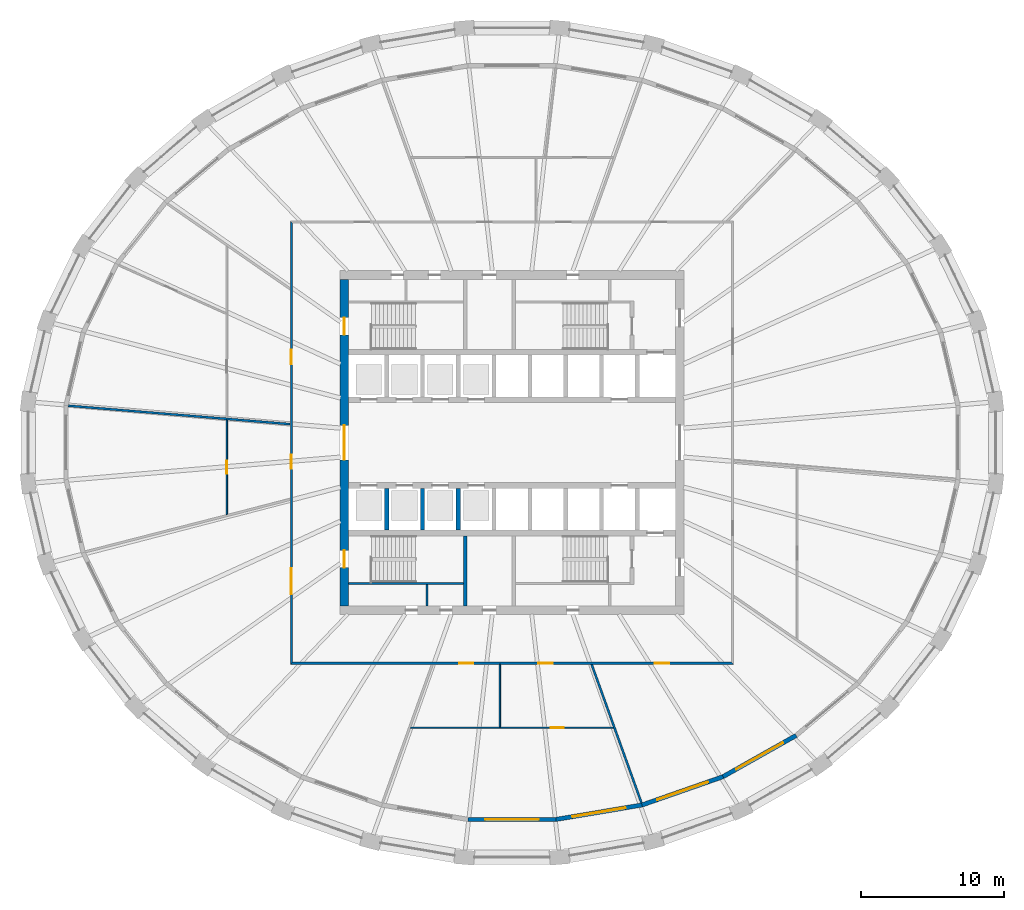
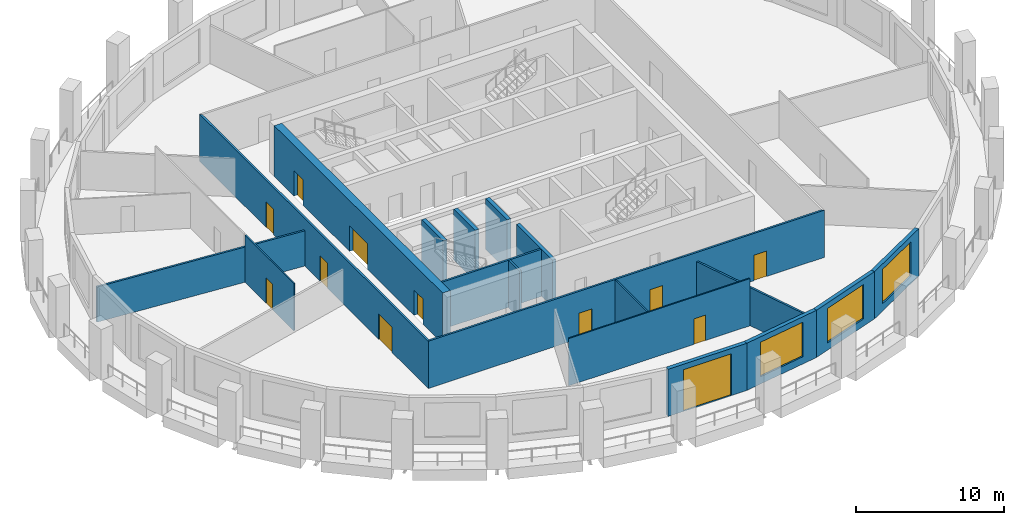
# One storey, part 3 of 10: 18 walls, 12 doors, 3 windows, 15 openings.
"""IFC4 building model written with IfcOpenShell, lengths in metres."""

from ifc_helpers import new_model, si_unit, direction, frame, frame_2d, origin, place, context, subcontext, project, spatial, polyline, rectangle, outline, extrude, material, layer, layer_set, type_object, element, fill, save


model = new_model("IFC4")

# Units and contexts
model_context = context("Model", 3, precision=1e-05, world=origin(), true_north=direction((0.0, 1.0)))
body_context = subcontext(model_context, "Body", "Model", "MODEL_VIEW")
ifc_project = project(units=[si_unit("LENGTHUNIT", "METRE"), si_unit("AREAUNIT", "SQUARE_METRE"), si_unit("VOLUMEUNIT", "CUBIC_METRE"), si_unit("PLANEANGLEUNIT", "RADIAN"), si_unit("MASSUNIT", "GRAM", prefix="KILO")], contexts=[model_context])

# Site, building, storey
site_placement = place(None, origin())
site = spatial("IfcSite", under=ifc_project, at=site_placement, CompositionType="ELEMENT")
building_placement = place(site_placement, origin())
building = spatial("IfcBuilding", under=site, at=building_placement, Name="Halqa Exchange Tower", CompositionType="ELEMENT")
storey_placement = place(building_placement, frame((0.0, 0.0, 159.10009765625)))
storey = spatial("IfcBuildingStorey", under=building, at=storey_placement, Name="L36", CompositionType="ELEMENT", Elevation=159.10009765625)

# Wall
ifc_material_1 = material(Name="Fire-rated gypsum board")
ifc_layer_1 = layer(ifc_material_1, 0.14990234375)
ifc_layer_set_1 = layer_set([ifc_layer_1], Name="Fire-rated gypsum board")
wall_type_1 = type_object("IfcWallType", Name="Fire partition EI 60 150", PredefinedType="PARTITIONING", material=ifc_layer_set_1)
wall_1_placement = place(storey_placement, frame((-30.964599609375, 2.574462890625, 0.0), z_axis=(0.0, 0.0, 1.0), x_axis=(0.996560145348, -0.082872653534, 0.0)))
element("IfcWall", 1, at=wall_1_placement, inside=storey, type_object=wall_type_1, Name="L36-PWL-001", PredefinedType="PARTITIONING", context=body_context, shape_type="SweptSolid", body=[
    extrude(outline(polyline([(0.0, -0.074951171875), (1.85986328125, -0.074951171875), (3.7197265625, -0.074951171875), (5.579345703125, -0.074951171875), (7.439208984375, -0.074951171875), (9.299072265625, -0.074951171875), (11.158935546875, -0.074951171875), (11.1591796875, -0.074951171875), (11.1591796875, -0.074951171875), (12.622314453125, -0.074951171875), (14.085693359375, -0.074951171875), (15.548828125, -0.074951171875), (15.548828125, -0.0693359375), (15.536865234375, 0.074951171875), (14.044921875, 0.074951171875), (12.552978515625, 0.074951171875), (11.06103515625, 0.074951171875), (11.04638671875, 0.07373046875), (11.04638671875, 0.074951171875), (9.2060546875, 0.074951171875), (7.36572265625, 0.074951171875), (5.525390625, 0.074951171875), (3.68505859375, 0.074951171875), (1.8447265625, 0.074951171875), (0.00439453125, 0.074951171875), (0.0, 0.044921875), (0.0, -0.074951171875)])), origin(), (0.0, 0.0, 1.0), 2.909912109375),
])

# Wall, openings, doors
wall_2_placement = place(storey_placement, frame((-15.39990234375, -15.47509765625, 0.0), z_axis=(0.0, 0.0, 1.0), x_axis=(0.0, 1.0, 0.0)))
wall_2 = element("IfcWall", 2, at=wall_2_placement, inside=storey, type_object=wall_type_1, Name="L36-PWL-007", PredefinedType="PARTITIONING", context=body_context, shape_type="SweptSolid", body=[
    extrude(outline(polyline([(0.150146484375, -0.074951171875), (2.065673828125, -0.074951171875), (3.9814453125, -0.074951171875), (5.89697265625, -0.074951171875), (7.8125, -0.074951171875), (9.728271484375, -0.074951171875), (11.643798828125, -0.074951171875), (13.5595703125, -0.074951171875), (15.47509765625, -0.074951171875), (17.390625, -0.074951171875), (19.306396484375, -0.074951171875), (21.221923828125, -0.074951171875), (23.1376953125, -0.074951171875), (25.05322265625, -0.074951171875), (26.96875, -0.074951171875), (28.884521484375, -0.074951171875), (30.800048828125, -0.074951171875), (30.949951171875, 0.074951171875), (29.015625, 0.074951171875), (27.081298828125, 0.074951171875), (25.14697265625, 0.074951171875), (23.21240234375, 0.074951171875), (21.278076171875, 0.074951171875), (19.34375, 0.074951171875), (17.409423828125, 0.074951171875), (15.47509765625, 0.074951171875), (13.540771484375, 0.074951171875), (11.6064453125, 0.074951171875), (9.672119140625, 0.074951171875), (7.73779296875, 0.074951171875), (5.80322265625, 0.074951171875), (3.868896484375, 0.074951171875), (1.9345703125, 0.074951171875), (0.000244140625, 0.074951171875), (0.150146484375, -0.074951171875)])), origin(), (0.0, 0.0, 1.0), 3.89990234375),
])
opening_1_placement = place(wall_2_placement, frame((20.949951171875, 0.0, 0.0)))
opening_1 = element("IfcOpeningElement", 3, at=opening_1_placement, cuts=wall_2, Name="Opening 11-04", PredefinedType="OPENING", context=body_context, shape_type="SweptSolid", body=[
    extrude(rectangle(XDim=1.0, YDim=2.10009765625, at=frame_2d((0.5, 1.050048828125))), frame((0.0, 0.0869140625, 0.0), z_axis=(0.0, -1.0, 0.0), x_axis=(1.0, 0.0, 0.0)), (0.0, 0.0, 1.0), 0.173828125),
])
opening_2_placement = place(wall_2_placement, frame((13.64501953125, 0.0, 0.0)))
opening_2 = element("IfcOpeningElement", 4, at=opening_2_placement, cuts=wall_2, Name="Opening 11-05", PredefinedType="OPENING", context=body_context, shape_type="SweptSolid", body=[
    extrude(rectangle(XDim=1.0, YDim=2.10009765625, at=frame_2d((0.5, 1.050048828125))), frame((0.0, 0.0869140625, 0.0), z_axis=(0.0, -1.0, 0.0), x_axis=(1.0, 0.0, 0.0)), (0.0, 0.0, 1.0), 0.173828125),
])
opening_3_placement = place(wall_2_placement, frame((4.905029296875, 0.0, 0.0)))
opening_3 = element("IfcOpeningElement", 5, at=opening_3_placement, cuts=wall_2, Name="Opening 11-06", PredefinedType="OPENING", context=body_context, shape_type="SweptSolid", body=[
    extrude(rectangle(XDim=1.800048828125, YDim=2.10009765625, at=frame_2d((0.89990234375, 1.050048828125))), frame((0.0, 0.0869140625, 0.0), z_axis=(0.0, -1.0, 0.0), x_axis=(1.0, 0.0, 0.0)), (0.0, 0.0, 1.0), 0.173828125),
])
ifc_material_2 = material(Name="Steel fire door leaf", Category="steel")
door_type_1 = type_object("IfcDoorType", Name="Fire door FD30S 1000 x 2100", OperationType="SINGLE_SWING_LEFT", PredefinedType="DOOR", material=ifc_material_2)
door_1_placement = place(opening_1_placement, origin())
door_1 = element("IfcDoor", 6, at=door_1_placement, inside=storey, type_object=door_type_1, Name="L36-IDR-004", OperationType="SINGLE_SWING_RIGHT", OverallHeight=2.10009765625, OverallWidth=1.0, PredefinedType="DOOR", context=body_context, shape_type="SweptSolid", body=[
    extrude(rectangle(XDim=1.0, YDim=2.10009765625, at=frame_2d((0.5, 1.050048828125))), frame((0.0, 0.02490234375, 0.0), z_axis=(0.0, -1.0, 0.0), x_axis=(1.0, 0.0, 0.0)), (0.0, 0.0, 1.0), 0.050048828125),
])
fill(opening_1, door_1)
door_2_placement = place(opening_2_placement, origin())
door_2 = element("IfcDoor", 7, at=door_2_placement, inside=storey, type_object=door_type_1, Name="L36-IDR-005", OperationType="SINGLE_SWING_RIGHT", OverallHeight=2.10009765625, OverallWidth=1.0, PredefinedType="DOOR", context=body_context, shape_type="SweptSolid", body=[
    extrude(rectangle(XDim=1.0, YDim=2.10009765625, at=frame_2d((0.5, 1.050048828125))), frame((0.0, 0.02490234375, 0.0), z_axis=(0.0, -1.0, 0.0), x_axis=(1.0, 0.0, 0.0)), (0.0, 0.0, 1.0), 0.050048828125),
])
fill(opening_2, door_2)
door_type_2 = type_object("IfcDoorType", Name="Fire door FD30S double 1800 x 2100", OperationType="DOUBLE_DOOR_SINGLE_SWING", PredefinedType="DOOR", material=ifc_material_2)
door_3_placement = place(opening_3_placement, origin())
door_3 = element("IfcDoor", 8, at=door_3_placement, inside=storey, type_object=door_type_2, Name="L36-IDR-006", OperationType="DOUBLE_DOOR_SINGLE_SWING", OverallHeight=2.10009765625, OverallWidth=1.800048828125, PredefinedType="DOOR", context=body_context, shape_type="SweptSolid", body=[
    extrude(rectangle(XDim=1.800048828125, YDim=2.10009765625, at=frame_2d((0.89990234375, 1.050048828125))), frame((0.0, 0.02490234375, 0.0), z_axis=(0.0, -1.0, 0.0), x_axis=(1.0, 0.0, 0.0)), (0.0, 0.0, 1.0), 0.050048828125),
])
fill(opening_3, door_3)

wall_3_placement = place(storey_placement, frame((-15.47509765625, -15.39990234375, 0.0), z_axis=(0.0, 0.0, 1.0), x_axis=(1.0, 0.0, 0.0)))
wall_3 = element("IfcWall", 9, at=wall_3_placement, inside=storey, type_object=wall_type_1, Name="L36-PWL-008", PredefinedType="PARTITIONING", context=body_context, shape_type="SweptSolid", body=[
    extrude(outline(polyline([(0.000244140625, -0.074951171875), (1.9345703125, -0.074951171875), (3.868896484375, -0.074951171875), (5.80322265625, -0.074951171875), (7.73779296875, -0.074951171875), (9.672119140625, -0.074951171875), (11.6064453125, -0.074951171875), (13.540771484375, -0.074951171875), (15.47509765625, -0.074951171875), (17.409423828125, -0.074951171875), (19.34375, -0.074951171875), (21.278076171875, -0.074951171875), (23.21240234375, -0.074951171875), (25.14697265625, -0.074951171875), (27.081298828125, -0.074951171875), (29.015625, -0.074951171875), (30.949951171875, -0.074951171875), (30.800048828125, 0.074951171875), (28.884521484375, 0.074951171875), (26.96875, 0.074951171875), (25.05322265625, 0.074951171875), (23.1376953125, 0.074951171875), (21.221923828125, 0.074951171875), (19.306396484375, 0.074951171875), (17.390625, 0.074951171875), (15.47509765625, 0.074951171875), (13.5595703125, 0.074951171875), (11.643798828125, 0.074951171875), (9.728271484375, 0.074951171875), (7.8125, 0.074951171875), (5.89697265625, 0.074951171875), (3.9814453125, 0.074951171875), (2.065673828125, 0.074951171875), (0.150146484375, 0.074951171875), (0.000244140625, -0.074951171875)])), origin(), (0.0, 0.0, 1.0), 3.89990234375),
])
opening_4_placement = place(wall_3_placement, frame((11.784912109375, 0.0, 0.0)))
opening_4 = element("IfcOpeningElement", 10, at=opening_4_placement, cuts=wall_3, Name="Opening 11-07", PredefinedType="OPENING", context=body_context, shape_type="SweptSolid", body=[
    extrude(rectangle(XDim=1.0, YDim=2.10009765625, at=frame_2d((0.5, 1.050048828125))), frame((0.0, 0.0869140625, 0.0), z_axis=(0.0, -1.0, 0.0), x_axis=(1.0, 0.0, 0.0)), (0.0, 0.0, 1.0), 0.173828125),
])
opening_5_placement = place(wall_3_placement, frame((17.31494140625, 0.0, 0.0)))
opening_5 = element("IfcOpeningElement", 11, at=opening_5_placement, cuts=wall_3, Name="Opening 11-08", PredefinedType="OPENING", context=body_context, shape_type="SweptSolid", body=[
    extrude(rectangle(XDim=1.0, YDim=2.10009765625, at=frame_2d((0.5, 1.050048828125))), frame((0.0, 0.0869140625, 0.0), z_axis=(0.0, -1.0, 0.0), x_axis=(1.0, 0.0, 0.0)), (0.0, 0.0, 1.0), 0.173828125),
])
opening_6_placement = place(wall_3_placement, frame((25.43994140625, 0.0, 0.0)))
opening_6 = element("IfcOpeningElement", 12, at=opening_6_placement, cuts=wall_3, Name="Opening 11-09", PredefinedType="OPENING", context=body_context, shape_type="SweptSolid", body=[
    extrude(rectangle(XDim=1.0, YDim=2.10009765625, at=frame_2d((0.5, 1.050048828125))), frame((0.0, 0.0869140625, 0.0), z_axis=(0.0, -1.0, 0.0), x_axis=(1.0, 0.0, 0.0)), (0.0, 0.0, 1.0), 0.173828125),
])
door_4_placement = place(opening_4_placement, frame((1.0, 0.0, 0.0), z_axis=(0.0, 0.0, 1.0), x_axis=(-1.0, 0.0, 0.0)))
door_4 = element("IfcDoor", 13, at=door_4_placement, inside=storey, type_object=door_type_1, Name="L36-IDR-007", OperationType="SINGLE_SWING_LEFT", OverallHeight=2.10009765625, OverallWidth=1.0, PredefinedType="DOOR", context=body_context, shape_type="SweptSolid", body=[
    extrude(rectangle(XDim=1.0, YDim=2.10009765625, at=frame_2d((0.5, 1.050048828125))), frame((0.0, 0.02490234375, 0.0), z_axis=(0.0, -1.0, 0.0), x_axis=(1.0, 0.0, 0.0)), (0.0, 0.0, 1.0), 0.050048828125),
])
fill(opening_4, door_4)
door_5_placement = place(opening_5_placement, frame((1.0, 0.0, 0.0), z_axis=(0.0, 0.0, 1.0), x_axis=(-1.0, 0.0, 0.0)))
door_5 = element("IfcDoor", 14, at=door_5_placement, inside=storey, type_object=door_type_1, Name="L36-IDR-008", OperationType="SINGLE_SWING_RIGHT", OverallHeight=2.10009765625, OverallWidth=1.0, PredefinedType="DOOR", context=body_context, shape_type="SweptSolid", body=[
    extrude(rectangle(XDim=1.0, YDim=2.10009765625, at=frame_2d((0.5, 1.050048828125))), frame((0.0, 0.02490234375, 0.0), z_axis=(0.0, -1.0, 0.0), x_axis=(1.0, 0.0, 0.0)), (0.0, 0.0, 1.0), 0.050048828125),
])
fill(opening_5, door_5)
door_6_placement = place(opening_6_placement, frame((1.0, 0.0, 0.0), z_axis=(0.0, 0.0, 1.0), x_axis=(-1.0, 0.0, 0.0)))
door_6 = element("IfcDoor", 15, at=door_6_placement, inside=storey, type_object=door_type_1, Name="L36-IDR-009", OperationType="SINGLE_SWING_RIGHT", OverallHeight=2.10009765625, OverallWidth=1.0, PredefinedType="DOOR", context=body_context, shape_type="SweptSolid", body=[
    extrude(rectangle(XDim=1.0, YDim=2.10009765625, at=frame_2d((0.5, 1.050048828125))), frame((0.0, 0.02490234375, 0.0), z_axis=(0.0, -1.0, 0.0), x_axis=(1.0, 0.0, 0.0)), (0.0, 0.0, 1.0), 0.050048828125),
])
fill(opening_6, door_6)

# Wall
wall_4_placement = place(storey_placement, frame((5.5478515625, -15.449951171875, 0.0), z_axis=(0.0, 0.0, 1.0), x_axis=(0.338668278724, -0.940905838533, 0.0)))
element("IfcWall", 16, at=wall_4_placement, inside=storey, type_object=wall_type_1, Name="L36-PWL-018", PredefinedType="PARTITIONING", context=body_context, shape_type="SweptSolid", body=[
    extrude(outline(polyline([(0.0, -0.074951171875), (1.5498046875, -0.074951171875), (3.099609375, -0.074951171875), (4.6494140625, -0.074951171875), (4.661376953125, -0.04150390625), (4.75439453125, -0.074951171875), (6.59912109375, -0.074951171875), (8.44384765625, -0.074951171875), (10.28857421875, -0.074951171875), (10.3017578125, -0.0029296875), (10.30224609375, 0.064453125), (10.30224609375, 0.074951171875), (8.59423828125, 0.074951171875), (6.885986328125, 0.074951171875), (5.177978515625, 0.074951171875), (3.4697265625, 0.074951171875), (1.76171875, 0.074951171875), (0.0537109375, 0.074951171875), (0.0, -0.073974609375), (0.0, -0.074951171875)])), origin(), (0.0, 0.0, 1.0), 3.14697265625),
])

# Wall, opening, door
ifc_material_3 = material(Name="Gypsum board")
ifc_layer_2 = layer(ifc_material_3, 0.10009765625)
ifc_layer_set_2 = layer_set([ifc_layer_2], Name="Gypsum board")
wall_type_2 = type_object("IfcWallType", Name="Partition 100 gypsum", PredefinedType="PARTITIONING", material=ifc_layer_set_2)
wall_5_placement = place(storey_placement, frame((-19.89990234375, -5.027587890625, 0.0), z_axis=(0.0, 0.0, 1.0), x_axis=(0.0, 1.0, 0.0)))
wall_5 = element("IfcWall", 17, at=wall_5_placement, inside=storey, type_object=wall_type_2, Name="L36-PWL-004", PredefinedType="PARTITIONING", context=body_context, shape_type="SweptSolid", body=[
    extrude(outline(polyline([(0.025390625, -0.050048828125), (1.669677734375, -0.050048828125), (3.31396484375, -0.050048828125), (4.958251953125, -0.050048828125), (6.6025390625, -0.050048828125), (6.610595703125, 0.04833984375), (6.610595703125, 0.050048828125), (4.9580078125, 0.050048828125), (3.30517578125, 0.050048828125), (1.652587890625, 0.050048828125), (0.0, 0.050048828125), (0.0, 0.048828125), (0.025390625, -0.050048828125)])), origin(), (0.0, 0.0, 1.0), 3.89990234375),
])
opening_7_placement = place(wall_5_placement, frame((2.857421875, 0.0, 0.0)))
opening_7 = element("IfcOpeningElement", 18, at=opening_7_placement, cuts=wall_5, Name="Opening 11-17", PredefinedType="OPENING", context=body_context, shape_type="SweptSolid", body=[
    extrude(rectangle(XDim=0.89990234375, YDim=2.10009765625, at=frame_2d((0.449951171875, 1.050048828125))), frame((0.0, 0.06201171875, 0.0), z_axis=(0.0, -1.0, 0.0), x_axis=(1.0, 0.0, 0.0)), (0.0, 0.0, 1.0), 0.1240234375),
])
ifc_material_4 = material(Name="Timber door leaf", Category="wood")
door_type_3 = type_object("IfcDoorType", Name="Door 900 x 2100", OperationType="SINGLE_SWING_LEFT", PredefinedType="DOOR", material=ifc_material_4)
door_7_placement = place(opening_7_placement, frame((0.89990234375, 0.0, 0.0), z_axis=(0.0, 0.0, 1.0), x_axis=(-1.0, 0.0, 0.0)))
door_7 = element("IfcDoor", 19, at=door_7_placement, inside=storey, type_object=door_type_3, Name="L36-IDR-017", OperationType="SINGLE_SWING_RIGHT", OverallHeight=2.10009765625, OverallWidth=0.89990234375, PredefinedType="DOOR", context=body_context, shape_type="SweptSolid", body=[
    extrude(rectangle(XDim=0.89990234375, YDim=2.10009765625, at=frame_2d((0.449951171875, 1.050048828125))), frame((0.0, 0.02490234375, 0.0), z_axis=(0.0, -1.0, 0.0), x_axis=(1.0, 0.0, 0.0)), (0.0, 0.0, 1.0), 0.050048828125),
])
fill(opening_7, door_7)

wall_6_placement = place(storey_placement, frame((-7.08740234375, -19.89990234375, 0.0), z_axis=(0.0, 0.0, 1.0), x_axis=(1.0, 0.0, 0.0)))
wall_6 = element("IfcWall", 20, at=wall_6_placement, inside=storey, type_object=wall_type_2, Name="L36-PWL-012", PredefinedType="PARTITIONING", context=body_context, shape_type="SweptSolid", body=[
    extrude(outline(polyline([(14.1748046875, -0.050048828125), (14.1748046875, -0.048583984375), (14.13916015625, 0.050048828125), (12.17626953125, 0.050048828125), (10.21337890625, 0.050048828125), (8.250244140625, 0.050048828125), (6.287353515625, 0.050048828125), (6.287353515625, 0.0498046875), (6.1875, 0.0498046875), (6.1875, 0.050048828125), (4.6494140625, 0.050048828125), (3.111572265625, 0.050048828125), (1.573486328125, 0.050048828125), (0.03564453125, 0.050048828125), (0.0, -0.048583984375), (0.0, -0.050048828125), (1.77197265625, -0.050048828125), (3.543701171875, -0.050048828125), (5.3154296875, -0.050048828125), (7.08740234375, -0.050048828125), (8.859375, -0.050048828125), (10.631103515625, -0.050048828125), (12.40283203125, -0.050048828125), (14.1748046875, -0.050048828125)])), origin(), (0.0, 0.0, 1.0), 3.89990234375),
])
opening_8_placement = place(wall_6_placement, frame((9.78759765625, 0.0, 0.0)))
opening_8 = element("IfcOpeningElement", 21, at=opening_8_placement, cuts=wall_6, Name="Opening 11-18", PredefinedType="OPENING", context=body_context, shape_type="SweptSolid", body=[
    extrude(rectangle(XDim=0.89990234375, YDim=2.10009765625, at=frame_2d((0.449951171875, 1.050048828125))), frame((0.0, 0.06201171875, 0.0), z_axis=(0.0, -1.0, 0.0), x_axis=(1.0, 0.0, 0.0)), (0.0, 0.0, 1.0), 0.1240234375),
])
door_8_placement = place(opening_8_placement, origin())
door_8 = element("IfcDoor", 22, at=door_8_placement, inside=storey, type_object=door_type_3, Name="L36-IDR-018", OperationType="SINGLE_SWING_RIGHT", OverallHeight=2.10009765625, OverallWidth=0.89990234375, PredefinedType="DOOR", context=body_context, shape_type="SweptSolid", body=[
    extrude(rectangle(XDim=0.89990234375, YDim=2.10009765625, at=frame_2d((0.449951171875, 1.050048828125))), frame((0.0, 0.02490234375, 0.0), z_axis=(0.0, -1.0, 0.0), x_axis=(1.0, 0.0, 0.0)), (0.0, 0.0, 1.0), 0.050048828125),
])
fill(opening_8, door_8)

# Walls
wall_7_placement = place(storey_placement, frame((-0.85009765625, -15.47509765625, 0.0), z_axis=(0.0, 0.0, 1.0), x_axis=(0.0, -1.0, 0.0)))
element("IfcWall", 23, at=wall_7_placement, inside=storey, type_object=wall_type_2, Name="L36-PWL-014", PredefinedType="PARTITIONING", context=body_context, shape_type="SweptSolid", body=[
    extrude(rectangle(XDim=4.375, YDim=0.10009765625, at=frame_2d((2.1875, 0.0))), origin(), (0.0, 0.0, 1.0), 3.89990234375),
])
ifc_layer_3 = layer(ifc_material_3, 0.14990234375)
ifc_layer_set_3 = layer_set([ifc_layer_3], Name="Gypsum board")
wall_type_3 = type_object("IfcWallType", Name="Penthouse riser wall 150 gypsum", PredefinedType="PARTITIONING", material=ifc_layer_set_3)
wall_8_placement = place(storey_placement, frame((-5.925048828125, -11.39990234375, 0.0), z_axis=(0.0, 0.0, 1.0), x_axis=(0.0, 1.0, 0.0)))
element("IfcWall", 24, at=wall_8_placement, inside=storey, type_object=wall_type_3, Name="Partition W5.925 S", PredefinedType="PARTITIONING", context=body_context, shape_type="SweptSolid", body=[
    extrude(rectangle(XDim=1.5, YDim=0.14990234375, at=frame_2d((0.75, 0.0))), origin(), (0.0, 0.0, 1.0), 3.89990234375),
])
ifc_material_5 = material(Name="Concrete C60/75", Category="concrete")
ifc_layer_4 = layer(ifc_material_5, 0.300048828125)
ifc_layer_set_4 = layer_set([ifc_layer_4], Name="Concrete C60/75")
wall_type_4 = type_object("IfcWallType", Name="RC core wall 300", PredefinedType="SHEAR", material=ifc_layer_set_4)
for number, where, z_axis, x_axis, name in (
    (25, (-8.75, -6.10009765625, 0.0), (0.0, 0.0, 1.0), (0.0, 1.0, 0.0), "Shaft divider S1"),
    (26, (-6.25, -6.10009765625, 0.0), (0.0, 0.0, 1.0), (0.0, 1.0, 0.0), "Shaft divider S2"),
    (27, (-3.75, -6.10009765625, 0.0), (0.0, 0.0, 1.0), (0.0, 1.0, 0.0), "Shaft divider S3"),
):
    element("IfcWall", number, at=place(storey_placement, frame(where, z_axis=z_axis, x_axis=x_axis)), inside=storey, type_object=wall_type_4, Name=name, PredefinedType="SHEAR", context=body_context, shape_type="SweptSolid", body=[
        extrude(rectangle(XDim=2.900146484375, YDim=0.300048828125, at=frame_2d((1.4501953125, 0.0))), origin(), (0.0, 0.0, 1.0), 4.199951171875),
    ])

# Wall, openings, doors
ifc_material_6 = material(Name="Concrete C70/85", Category="concrete")
ifc_layer_5 = layer(ifc_material_6, 0.60009765625)
ifc_layer_set_5 = layer_set([ifc_layer_5], Name="Concrete C70/85")
wall_type_5 = type_object("IfcWallType", Name="RC core wall 600 C70/85", PredefinedType="SHEAR", material=ifc_layer_set_5)
wall_9_placement = place(storey_placement, frame((-11.699951171875, -11.39990234375, 0.0), z_axis=(0.0, 0.0, 1.0), x_axis=(0.0, 1.0, 0.0)))
wall_9 = element("IfcWall", 28, at=wall_9_placement, inside=storey, type_object=wall_type_5, Name="Core wall west", PredefinedType="SHEAR", context=body_context, shape_type="SweptSolid", body=[
    extrude(rectangle(XDim=22.7998046875, YDim=0.60009765625, at=frame_2d((11.39990234375, 0.0))), origin(), (0.0, 0.0, 1.0), 4.199951171875),
])
opening_9_placement = place(wall_9_placement, frame((10.199951171875, 0.0, 0.0)))
opening_9 = element("IfcOpeningElement", 29, at=opening_9_placement, cuts=wall_9, Name="Opening T11-C13", PredefinedType="OPENING", context=body_context, shape_type="SweptSolid", body=[
    extrude(rectangle(XDim=2.39990234375, YDim=2.10009765625, at=frame_2d((1.199951171875, 1.050048828125))), frame((0.0, 0.31201171875, 0.0), z_axis=(0.0, -1.0, 0.0), x_axis=(1.0, 0.0, 0.0)), (0.0, 0.0, 1.0), 0.6240234375),
])
opening_10_placement = place(wall_9_placement, frame((18.925048828125, 0.0, 0.0)))
opening_10 = element("IfcOpeningElement", 30, at=opening_10_placement, cuts=wall_9, Name="Opening T11-C15", PredefinedType="OPENING", context=body_context, shape_type="SweptSolid", body=[
    extrude(rectangle(XDim=1.199951171875, YDim=2.10009765625, at=frame_2d((0.60009765625, 1.050048828125))), frame((0.0, 0.31201171875, 0.0), z_axis=(0.0, -1.0, 0.0), x_axis=(1.0, 0.0, 0.0)), (0.0, 0.0, 1.0), 0.6240234375),
])
opening_11_placement = place(wall_9_placement, frame((2.675048828125, 0.0, 0.0)))
opening_11 = element("IfcOpeningElement", 31, at=opening_11_placement, cuts=wall_9, Name="Opening T11-C17", PredefinedType="OPENING", context=body_context, shape_type="SweptSolid", body=[
    extrude(rectangle(XDim=1.199951171875, YDim=2.10009765625, at=frame_2d((0.60009765625, 1.050048828125))), frame((0.0, 0.31201171875, 0.0), z_axis=(0.0, -1.0, 0.0), x_axis=(1.0, 0.0, 0.0)), (0.0, 0.0, 1.0), 0.6240234375),
])
door_type_4 = type_object("IfcDoorType", Name="Lobby double door FD60 2400 x 2100", OperationType="DOUBLE_DOOR_SINGLE_SWING", PredefinedType="DOOR", material=ifc_material_2)
door_9_placement = place(opening_9_placement, frame((2.39990234375, 0.0, 0.0), z_axis=(0.0, 0.0, 1.0), x_axis=(-1.0, 0.0, 0.0)))
door_9 = element("IfcDoor", 32, at=door_9_placement, inside=storey, type_object=door_type_4, Name="Lift lobby double door", OperationType="DOUBLE_DOOR_SINGLE_SWING", OverallHeight=2.10009765625, OverallWidth=2.39990234375, PredefinedType="DOOR", context=body_context, shape_type="SweptSolid", body=[
    extrude(rectangle(XDim=2.39990234375, YDim=2.10009765625, at=frame_2d((1.199951171875, 1.050048828125))), frame((0.0, 0.02490234375, 0.0), z_axis=(0.0, -1.0, 0.0), x_axis=(1.0, 0.0, 0.0)), (0.0, 0.0, 1.0), 0.050048828125),
])
fill(opening_9, door_9)
door_type_5 = type_object("IfcDoorType", Name="Stair door FD90 1200 x 2100", OperationType="SINGLE_SWING_LEFT", PredefinedType="DOOR", material=ifc_material_2)
door_10_placement = place(opening_10_placement, frame((1.199951171875, 0.0, 0.0), z_axis=(0.0, 0.0, 1.0), x_axis=(-1.0, 0.0, 0.0)))
door_10 = element("IfcDoor", 33, at=door_10_placement, inside=storey, type_object=door_type_5, Name="Stair door ST1", OperationType="SINGLE_SWING_RIGHT", OverallHeight=2.10009765625, OverallWidth=1.199951171875, PredefinedType="DOOR", context=body_context, shape_type="SweptSolid", body=[
    extrude(rectangle(XDim=1.199951171875, YDim=2.10009765625, at=frame_2d((0.60009765625, 1.050048828125))), frame((0.0, 0.02490234375, 0.0), z_axis=(0.0, -1.0, 0.0), x_axis=(1.0, 0.0, 0.0)), (0.0, 0.0, 1.0), 0.050048828125),
])
fill(opening_10, door_10)
door_11_placement = place(opening_11_placement, frame((1.199951171875, 0.0, 0.0), z_axis=(0.0, 0.0, 1.0), x_axis=(-1.0, 0.0, 0.0)))
door_11 = element("IfcDoor", 34, at=door_11_placement, inside=storey, type_object=door_type_5, Name="Stair door ST3", OperationType="SINGLE_SWING_RIGHT", OverallHeight=2.10009765625, OverallWidth=1.199951171875, PredefinedType="DOOR", context=body_context, shape_type="SweptSolid", body=[
    extrude(rectangle(XDim=1.199951171875, YDim=2.10009765625, at=frame_2d((0.60009765625, 1.050048828125))), frame((0.0, 0.02490234375, 0.0), z_axis=(0.0, -1.0, 0.0), x_axis=(1.0, 0.0, 0.0)), (0.0, 0.0, 1.0), 0.050048828125),
])
fill(opening_11, door_11)

# Walls
ifc_material_7 = material(Name="Concrete C30/37", Category="concrete")
ifc_layer_6 = layer(ifc_material_7, 0.14990234375)
ifc_layer_set_6 = layer_set([ifc_layer_6], Name="Concrete C30/37")
wall_type_6 = type_object("IfcWallType", Name="RC stair wall 150 C30/37", PredefinedType="SHEAR", material=ifc_layer_set_6)
wall_10_placement = place(storey_placement, frame((-11.39990234375, -9.824951171875, 0.0), z_axis=(0.0, 0.0, 1.0), x_axis=(1.0, 0.0, 0.0)))
element("IfcWall", 35, at=wall_10_placement, inside=storey, type_object=wall_type_6, Name="Stair ST1 north wall S", PredefinedType="SHEAR", context=body_context, shape_type="SweptSolid", body=[
    extrude(rectangle(XDim=8.0, YDim=0.14990234375, at=frame_2d((4.0, 0.0))), origin(), (0.0, 0.0, 1.0), 3.89990234375),
])
ifc_layer_7 = layer(ifc_material_7, 0.25)
ifc_layer_set_7 = layer_set([ifc_layer_7], Name="Concrete C30/37")
wall_type_7 = type_object("IfcWallType", Name="RC stair wall 250 C30/37", PredefinedType="SHEAR", material=ifc_layer_set_7)
wall_11_placement = place(storey_placement, frame((-3.27490234375, -11.39990234375, 0.0), z_axis=(0.0, 0.0, 1.0), x_axis=(0.0, 1.0, 0.0)))
element("IfcWall", 36, at=wall_11_placement, inside=storey, type_object=wall_type_7, Name="Stair ST1 east wall S", PredefinedType="SHEAR", context=body_context, shape_type="SweptSolid", body=[
    extrude(rectangle(XDim=4.89990234375, YDim=0.25, at=frame_2d((2.449951171875, 0.0))), origin(), (0.0, 0.0, 1.0), 3.89990234375),
])

# Wall, opening, door
ifc_material_8 = material(Name="Limestone cladding", Category="masonry")
ifc_layer_8 = layer(ifc_material_8, 0.0400390625)
ifc_material_9 = material(Name="Ventilated cavity")
ifc_layer_9 = layer(ifc_material_9, 0.030029296875, ventilated=True)
ifc_material_10 = material(Name="Mineral wool insulation")
ifc_layer_10 = layer(ifc_material_10, 0.10009765625)
ifc_layer_11 = layer(ifc_material_7, 0.10009765625)
ifc_material_11 = material(Name="Internal plaster")
ifc_layer_12 = layer(ifc_material_11, 0.030029296875)
ifc_layer_set_8 = layer_set([ifc_layer_8, ifc_layer_9, ifc_layer_10, ifc_layer_11, ifc_layer_12], Name="Stone-faced insulated wall 300")
wall_type_8 = type_object("IfcWallType", Name="Stone-faced insulated wall 300", PredefinedType="STANDARD", material=ifc_layer_set_8)
wall_12_placement = place(storey_placement, frame((-3.06298828125, -26.298583984375, 0.0), z_axis=(0.0, 0.0, 1.0), x_axis=(1.0, 0.0, 0.0)))
wall_12 = element("IfcWall", 37, at=wall_12_placement, inside=storey, type_object=wall_type_8, Name="Glass-line wall 24", PredefinedType="STANDARD", context=body_context, shape_type="SweptSolid", body=[
    extrude(outline(polyline([(-0.012451171875, -0.14990234375), (6.138427734375, -0.14990234375), (6.113525390625, 0.14990234375), (0.012451171875, 0.14990234375), (-0.012451171875, -0.14990234375)])), origin(), (0.0, 0.0, 1.0), 3.89990234375),
])
opening_12_placement = place(wall_12_placement, frame((1.18798828125, 0.0, 0.0)))
opening_12 = element("IfcOpeningElement", 38, at=opening_12_placement, cuts=wall_12, Name="Opening LG-F2-06", PredefinedType="OPENING", context=body_context, shape_type="SweptSolid", body=[
    extrude(rectangle(XDim=3.75, YDim=3.449951171875, at=frame_2d((1.875, 1.72509765625))), frame((0.0, 0.162109375, 0.0), z_axis=(0.0, -1.0, 0.0), x_axis=(1.0, 0.0, 0.0)), (0.0, 0.0, 1.0), 0.323974609375),
])
ifc_material_12 = material(Name="Clear low-emissivity glass in aluminium frame", Category="aluminium")
door_type_6 = type_object("IfcDoorType", Name="Glazed sliding loggia door 3750 x 3450", OperationType="DOUBLE_DOOR_SLIDING", PredefinedType="DOOR", material=ifc_material_12)
door_12_placement = place(opening_12_placement, origin())
door_12 = element("IfcDoor", 39, at=door_12_placement, inside=storey, type_object=door_type_6, Name="Loggia door 6", OperationType="DOUBLE_DOOR_SLIDING", OverallHeight=3.449951171875, OverallWidth=3.75, PredefinedType="DOOR", context=body_context, shape_type="SweptSolid", body=[
    extrude(rectangle(XDim=3.75, YDim=3.449951171875, at=frame_2d((1.875, 1.72509765625))), frame((0.0, 0.02490234375, 0.0), z_axis=(0.0, -1.0, 0.0), x_axis=(1.0, 0.0, 0.0)), (0.0, 0.0, 1.0), 0.050048828125),
])
fill(opening_12, door_12)

# Wall, opening, window
wall_13_placement = place(storey_placement, frame((3.06298828125, -26.298583984375, 0.0), z_axis=(0.0, 0.0, 1.0), x_axis=(0.98618955457, 0.165620537547, 0.0)))
wall_13 = element("IfcWall", 40, at=wall_13_placement, inside=storey, type_object=wall_type_8, Name="Glass-line wall 25", PredefinedType="STANDARD", context=body_context, shape_type="SweptSolid", body=[
    extrude(outline(polyline([(-0.012451171875, -0.14990234375), (6.105224609375, -0.14990234375), (6.079833984375, 0.14990234375), (0.012451171875, 0.14990234375), (-0.012451171875, -0.14990234375)])), origin(), (0.0, 0.0, 1.0), 3.89990234375),
])
opening_13_placement = place(wall_13_placement, frame((1.17138671875, 0.0, 0.60009765625)))
opening_13 = element("IfcOpeningElement", 41, at=opening_13_placement, cuts=wall_13, Name="Opening W-F2-25", PredefinedType="OPENING", context=body_context, shape_type="SweptSolid", body=[
    extrude(rectangle(XDim=3.75, YDim=2.85009765625, at=frame_2d((1.875, 1.425048828125))), frame((0.0, 0.162109375, 0.0), z_axis=(0.0, -1.0, 0.0), x_axis=(1.0, 0.0, 0.0)), (0.0, 0.0, 1.0), 0.323974609375),
])
window_type = type_object("IfcWindowType", Name="Fixed clear glazed window 3750 x 2850", PartitioningType="TRIPLE_PANEL_VERTICAL", PredefinedType="WINDOW", material=ifc_material_12)
window_1_placement = place(opening_13_placement, origin())
window_1 = element("IfcWindow", 42, at=window_1_placement, inside=storey, type_object=window_type, Name="Window 2", OverallHeight=2.85009765625, OverallWidth=3.75, PartitioningType="TRIPLE_PANEL_VERTICAL", PredefinedType="WINDOW", context=body_context, shape_type="SweptSolid", body=[
    extrude(rectangle(XDim=3.75, YDim=2.85009765625, at=frame_2d((1.875, 1.425048828125))), frame((0.0, 0.030029296875, 0.0), z_axis=(0.0, -1.0, 0.0), x_axis=(1.0, 0.0, 0.0)), (0.0, 0.0, 1.0), 0.06005859375),
])
fill(opening_13, window_1)

wall_14_placement = place(storey_placement, frame((9.0712890625, -25.28955078125, 0.0), z_axis=(0.0, 0.0, 1.0), x_axis=(0.943944636678, 0.330103806228, 0.0)))
wall_14 = element("IfcWall", 43, at=wall_14_placement, inside=storey, type_object=wall_type_8, Name="Glass-line wall 26", PredefinedType="STANDARD", context=body_context, shape_type="SweptSolid", body=[
    extrude(outline(polyline([(-0.0126953125, -0.14990234375), (6.0107421875, -0.14990234375), (5.98388671875, 0.14990234375), (0.0126953125, 0.14990234375), (-0.0126953125, -0.14990234375)])), origin(), (0.0, 0.0, 1.0), 3.89990234375),
])
opening_14_placement = place(wall_14_placement, frame((1.12353515625, 0.0, 0.60009765625)))
opening_14 = element("IfcOpeningElement", 44, at=opening_14_placement, cuts=wall_14, Name="Opening W-F2-26", PredefinedType="OPENING", context=body_context, shape_type="SweptSolid", body=[
    extrude(rectangle(XDim=3.75, YDim=2.85009765625, at=frame_2d((1.875, 1.425048828125))), frame((0.0, 0.162109375, 0.0), z_axis=(0.0, -1.0, 0.0), x_axis=(1.0, 0.0, 0.0)), (0.0, 0.0, 1.0), 0.323974609375),
])
window_2_placement = place(opening_14_placement, origin())
window_2 = element("IfcWindow", 45, at=window_2_placement, inside=storey, type_object=window_type, Name="Window 2", OverallHeight=2.85009765625, OverallWidth=3.75, PartitioningType="TRIPLE_PANEL_VERTICAL", PredefinedType="WINDOW", context=body_context, shape_type="SweptSolid", body=[
    extrude(rectangle(XDim=3.75, YDim=2.85009765625, at=frame_2d((1.875, 1.425048828125))), frame((0.0, 0.030029296875, 0.0), z_axis=(0.0, -1.0, 0.0), x_axis=(1.0, 0.0, 0.0)), (0.0, 0.0, 1.0), 0.06005859375),
])
fill(opening_14, window_2)

wall_15_placement = place(storey_placement, frame((14.732421875, -23.309814453125, 0.0), z_axis=(0.0, 0.0, 1.0), x_axis=(0.870982130072, 0.491314694565, 0.0)))
wall_15 = element("IfcWall", 46, at=wall_15_placement, inside=storey, type_object=wall_type_8, Name="Glass-line wall 27", PredefinedType="STANDARD", context=body_context, shape_type="SweptSolid", body=[
    extrude(outline(polyline([(-0.013427734375, -0.14990234375), (5.86572265625, -0.14990234375), (5.83740234375, 0.14990234375), (0.013427734375, 0.14990234375), (-0.013427734375, -0.14990234375)])), origin(), (0.0, 0.0, 1.0), 3.89990234375),
])
opening_15_placement = place(wall_15_placement, frame((1.05078125, 0.0, 0.60009765625)))
opening_15 = element("IfcOpeningElement", 47, at=opening_15_placement, cuts=wall_15, Name="Opening W-F2-27", PredefinedType="OPENING", context=body_context, shape_type="SweptSolid", body=[
    extrude(rectangle(XDim=3.75, YDim=2.85009765625, at=frame_2d((1.875, 1.425048828125))), frame((0.0, 0.162109375, 0.0), z_axis=(0.0, -1.0, 0.0), x_axis=(1.0, 0.0, 0.0)), (0.0, 0.0, 1.0), 0.323974609375),
])
window_3_placement = place(opening_15_placement, origin())
window_3 = element("IfcWindow", 48, at=window_3_placement, inside=storey, type_object=window_type, Name="Window 2", OverallHeight=2.85009765625, OverallWidth=3.75, PartitioningType="TRIPLE_PANEL_VERTICAL", PredefinedType="WINDOW", context=body_context, shape_type="SweptSolid", body=[
    extrude(rectangle(XDim=3.75, YDim=2.85009765625, at=frame_2d((1.875, 1.425048828125))), frame((0.0, 0.030029296875, 0.0), z_axis=(0.0, -1.0, 0.0), x_axis=(1.0, 0.0, 0.0)), (0.0, 0.0, 1.0), 0.06005859375),
])
fill(opening_15, window_3)

save(model, "model.ifc")
